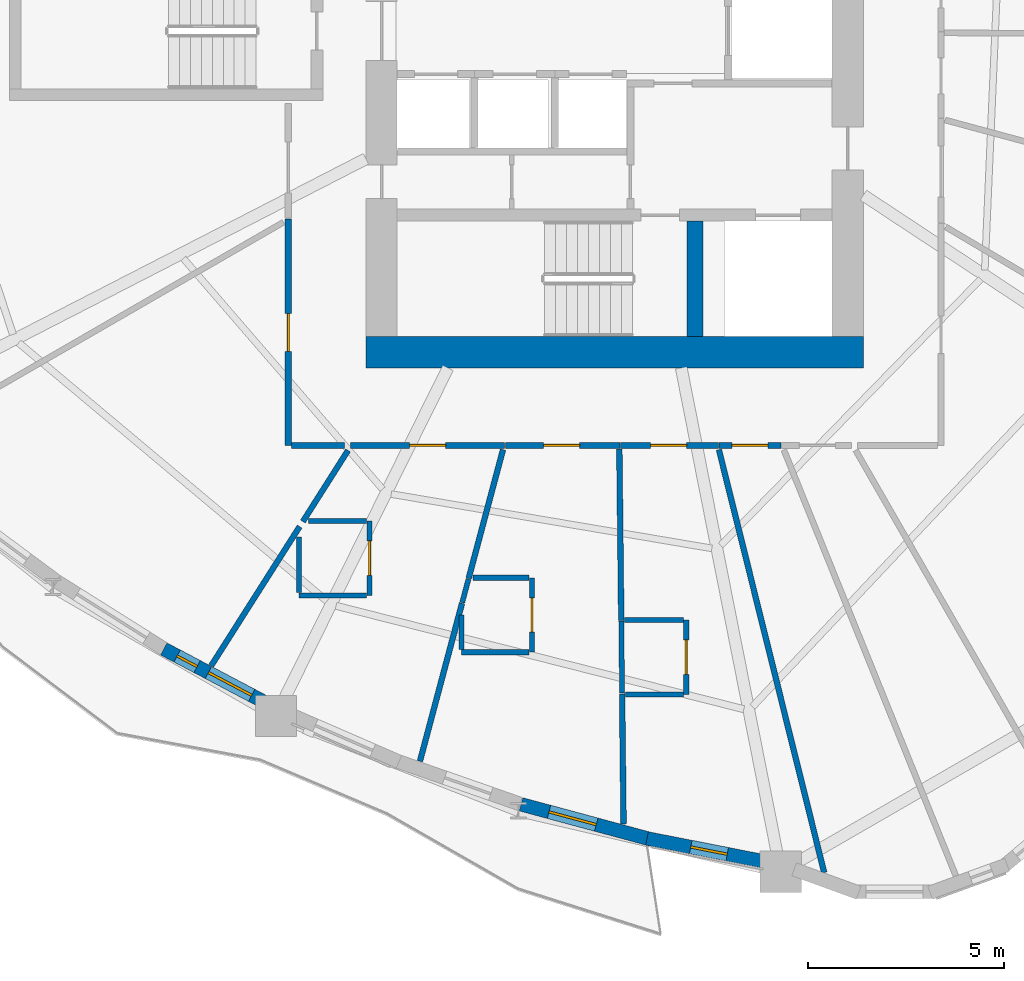
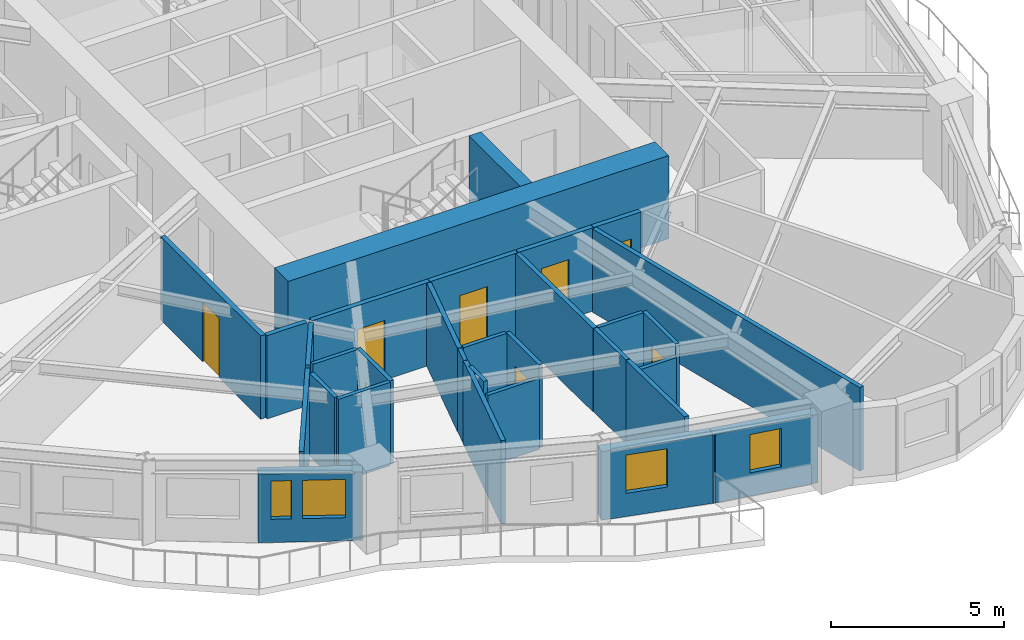
# One storey, part 3 of 13: 31 walls, 8 doors, 4 windows, 12 openings.
"""IFC4 building model written with IfcOpenShell, lengths in metres."""

from ifc_helpers import new_model, si_unit, direction, frame, frame_2d, origin, place, context, subcontext, project, spatial, rectangle, extrude, source, transform, mapped, material, layer, layer_set, type_object, element, fill, save


model = new_model("IFC4")

# Units and contexts
model_context = context("Model", 3, precision=1e-05, world=origin(), true_north=direction((0.0, 1.0)))
body_context = subcontext(model_context, "Body", "Model", "MODEL_VIEW")
ifc_project = project(units=[si_unit("LENGTHUNIT", "METRE"), si_unit("AREAUNIT", "SQUARE_METRE"), si_unit("VOLUMEUNIT", "CUBIC_METRE"), si_unit("PLANEANGLEUNIT", "RADIAN"), si_unit("MASSUNIT", "GRAM", prefix="KILO")], contexts=[model_context])

# Site, building, storey
site_placement = place(None, origin())
site = spatial("IfcSite", under=ifc_project, at=site_placement, CompositionType="ELEMENT")
building_placement = place(site_placement, origin())
building = spatial("IfcBuilding", under=site, at=building_placement, Name="Qafzar Sky-Pleat Residences", CompositionType="ELEMENT")
storey_placement = place(building_placement, frame((0.0, 0.0, 46.199951171875)))
storey = spatial("IfcBuildingStorey", under=building, at=storey_placement, Name="L13", CompositionType="ELEMENT", Elevation=46.199951171875)

# Wall, opening, door
ifc_material_1 = material(Name="Acoustic gypsum plasterboard partition", Category="gypsum")
ifc_layer_1 = layer(ifc_material_1, 0.159912109375)
ifc_layer_set_1 = layer_set([ifc_layer_1], Name="Acoustic gypsum plasterboard partition")
wall_type_1 = type_object("IfcWallType", Name="PART-COR-160", PredefinedType="PARTITIONING", material=ifc_layer_set_1)
wall_1_placement = place(storey_placement, frame((22.02001953125, 15.419921875, 0.0), z_axis=(0.0, 0.0, 1.0), x_axis=(0.0, 1.0, 0.0)))
wall_1 = element("IfcWall", 1, at=wall_1_placement, inside=storey, type_object=wall_type_1, Name="L13 Partition Wall PART-L13-PW-002", PredefinedType="PARTITIONING", context=body_context, shape_type="SweptSolid", body=[
    extrude(rectangle(XDim=5.7861328125, YDim=0.159912109375, at=frame_2d((2.89306640625, 0.0))), origin(), (0.0, 0.0, 1.0), 2.93994140625),
])
opening_1_placement = place(wall_1_placement, frame((2.404541015625, 0.0, 0.0)))
opening_1 = element("IfcOpeningElement", 2, at=opening_1_placement, cuts=wall_1, Name="Opening ID-06", PredefinedType="OPENING", context=body_context, shape_type="SweptSolid", body=[
    extrude(rectangle(XDim=0.9599609375, YDim=2.10009765625, at=frame_2d((0.47998046875, 1.050048828125))), frame((0.0, 0.08984375, 0.0), z_axis=(0.0, -1.0, 0.0), x_axis=(1.0, 0.0, 0.0)), (0.0, 0.0, 1.0), 0.179931640625),
])
ifc_material_2 = material(Name="Timber-faced fire door", Category="wood")
door_type_1 = type_object("IfcDoorType", Name="DR-STD-960", OperationType="NOTDEFINED", PredefinedType="DOOR", material=ifc_material_2)
shared_shape_1 = source(origin(), body_context, "Body", "SweptSolid", [
    extrude(rectangle(XDim=0.9599609375, YDim=2.10009765625, at=frame_2d((0.47998046875, 1.050048828125))), frame((0.0, 0.02490234375, 0.0), z_axis=(0.0, -1.0, 0.0), x_axis=(1.0, 0.0, 0.0)), (0.0, 0.0, 1.0), 0.050048828125),
])
door_1_placement = place(opening_1_placement, origin())
door_1 = element("IfcDoor", 3, at=door_1_placement, inside=storey, type_object=door_type_1, Name="L13 Scholar Co-Working Workspace Door", OperationType="SINGLE_SWING_LEFT", OverallHeight=2.10009765625, OverallWidth=0.9599609375, PredefinedType="DOOR", context=body_context, shape_type="MappedRepresentation", body=[
    mapped(shared_shape_1, transform((0.0, 0.0, 0.0), x_axis=(1.0, 0.0, 0.0), y_axis=(0.0, 1.0, 0.0), z_axis=(0.0, 0.0, 1.0), scale=1.0)),
])
fill(opening_1, door_1)

wall_2_placement = place(storey_placement, frame((27.5439453125, 15.419921875, 0.0), z_axis=(0.0, 0.0, 1.0), x_axis=(-1.0, 0.0, 0.0)))
wall_2 = element("IfcWall", 4, at=wall_2_placement, inside=storey, type_object=wall_type_1, Name="L13 Partition Wall PART-L13-PW-006", PredefinedType="PARTITIONING", context=body_context, shape_type="SweptSolid", body=[
    extrude(rectangle(XDim=3.93603515625, YDim=0.159912109375, at=frame_2d((1.968017578125, 0.0))), origin(), (0.0, 0.0, 1.0), 2.93994140625),
])
opening_2_placement = place(wall_2_placement, frame((1.507080078125, 0.0, 0.0)))
opening_2 = element("IfcOpeningElement", 5, at=opening_2_placement, cuts=wall_2, Name="Opening ID-04", PredefinedType="OPENING", context=body_context, shape_type="SweptSolid", body=[
    extrude(rectangle(XDim=0.919921875, YDim=2.10009765625, at=frame_2d((0.4599609375, 1.050048828125))), frame((0.0, 0.08984375, 0.0), z_axis=(0.0, -1.0, 0.0), x_axis=(1.0, 0.0, 0.0)), (0.0, 0.0, 1.0), 0.179931640625),
])
door_type_2 = type_object("IfcDoorType", Name="DR-BED-920", OperationType="NOTDEFINED", PredefinedType="DOOR", material=ifc_material_2)
shared_shape_2 = source(origin(), body_context, "Body", "SweptSolid", [
    extrude(rectangle(XDim=0.919921875, YDim=2.10009765625, at=frame_2d((0.4599609375, 1.050048828125))), frame((0.0, 0.02490234375, 0.0), z_axis=(0.0, -1.0, 0.0), x_axis=(1.0, 0.0, 0.0)), (0.0, 0.0, 1.0), 0.050048828125),
])
door_2_placement = place(opening_2_placement, origin())
door_2 = element("IfcDoor", 6, at=door_2_placement, inside=storey, type_object=door_type_2, Name="L13 Co-Living Bedroom 10 Door", OperationType="SINGLE_SWING_RIGHT", OverallHeight=2.10009765625, OverallWidth=0.919921875, PredefinedType="DOOR", context=body_context, shape_type="MappedRepresentation", body=[
    mapped(shared_shape_2, transform((0.0, 0.0, 0.0), x_axis=(1.0, 0.0, 0.0), y_axis=(0.0, 1.0, 0.0), z_axis=(0.0, 0.0, 1.0), scale=1.0)),
])
fill(opening_2, door_2)

wall_3_placement = place(storey_placement, frame((30.48388671875, 15.419921875, 0.0), z_axis=(0.0, 0.0, 1.0), x_axis=(-1.0, 0.0, 0.0)))
wall_3 = element("IfcWall", 7, at=wall_3_placement, inside=storey, type_object=wall_type_1, Name="L13 Partition Wall PART-L13-PW-010", PredefinedType="PARTITIONING", context=body_context, shape_type="SweptSolid", body=[
    extrude(rectangle(XDim=2.9248046875, YDim=0.159912109375, at=frame_2d((1.46240234375, 0.0))), origin(), (0.0, 0.0, 1.0), 2.93994140625),
])
opening_3_placement = place(wall_3_placement, frame((1.02490234375, 0.0, 0.0)))
opening_3 = element("IfcOpeningElement", 8, at=opening_3_placement, cuts=wall_3, Name="Opening ID-04", PredefinedType="OPENING", context=body_context, shape_type="SweptSolid", body=[
    extrude(rectangle(XDim=0.919921875, YDim=2.10009765625, at=frame_2d((0.4599609375, 1.050048828125))), frame((0.0, 0.08984375, 0.0), z_axis=(0.0, -1.0, 0.0), x_axis=(1.0, 0.0, 0.0)), (0.0, 0.0, 1.0), 0.179931640625),
])
door_3_placement = place(opening_3_placement, origin())
door_3 = element("IfcDoor", 9, at=door_3_placement, inside=storey, type_object=door_type_2, Name="L13 Co-Living Bedroom 11 Door", OperationType="SINGLE_SWING_LEFT", OverallHeight=2.10009765625, OverallWidth=0.919921875, PredefinedType="DOOR", context=body_context, shape_type="MappedRepresentation", body=[
    mapped(shared_shape_2, transform((0.0, 0.0, 0.0), x_axis=(1.0, 0.0, 0.0), y_axis=(0.0, 1.0, 0.0), z_axis=(0.0, 0.0, 1.0), scale=1.0)),
])
fill(opening_3, door_3)

wall_4_placement = place(storey_placement, frame((33.0, 15.419921875, 0.0), z_axis=(0.0, 0.0, 1.0), x_axis=(-1.0, 0.0, 0.0)))
wall_4 = element("IfcWall", 10, at=wall_4_placement, inside=storey, type_object=wall_type_1, Name="L13 Partition Wall PART-L13-PW-012", PredefinedType="PARTITIONING", context=body_context, shape_type="SweptSolid", body=[
    extrude(rectangle(XDim=2.5009765625, YDim=0.159912109375, at=frame_2d((1.25048828125, 0.0))), origin(), (0.0, 0.0, 1.0), 2.93994140625),
])
opening_4_placement = place(wall_4_placement, frame((0.81298828125, 0.0, 0.0)))
opening_4 = element("IfcOpeningElement", 11, at=opening_4_placement, cuts=wall_4, Name="Opening ID-04", PredefinedType="OPENING", context=body_context, shape_type="SweptSolid", body=[
    extrude(rectangle(XDim=0.919921875, YDim=2.10009765625, at=frame_2d((0.4599609375, 1.050048828125))), frame((0.0, 0.08984375, 0.0), z_axis=(0.0, -1.0, 0.0), x_axis=(1.0, 0.0, 0.0)), (0.0, 0.0, 1.0), 0.179931640625),
])
door_4_placement = place(opening_4_placement, origin())
door_4 = element("IfcDoor", 12, at=door_4_placement, inside=storey, type_object=door_type_2, Name="L13 Co-Living Bedroom 12 Door", OperationType="SINGLE_SWING_RIGHT", OverallHeight=2.10009765625, OverallWidth=0.919921875, PredefinedType="DOOR", context=body_context, shape_type="MappedRepresentation", body=[
    mapped(shared_shape_2, transform((0.0, 0.0, 0.0), x_axis=(1.0, 0.0, 0.0), y_axis=(0.0, 1.0, 0.0), z_axis=(0.0, 0.0, 1.0), scale=1.0)),
])
fill(opening_4, door_4)

wall_5_placement = place(storey_placement, frame((34.591064453125, 15.419921875, 0.0), z_axis=(0.0, 0.0, 1.0), x_axis=(-1.0, 0.0, 0.0)))
wall_5 = element("IfcWall", 13, at=wall_5_placement, inside=storey, type_object=wall_type_1, Name="L13 Partition Wall PART-L13-PW-027", PredefinedType="PARTITIONING", context=body_context, shape_type="SweptSolid", body=[
    extrude(rectangle(XDim=1.576171875, YDim=0.159912109375, at=frame_2d((0.7880859375, 0.0))), origin(), (0.0, 0.0, 1.0), 2.93994140625),
])
opening_5_placement = place(wall_5_placement, frame((0.326904296875, 0.0, 0.0)))
opening_5 = element("IfcOpeningElement", 14, at=opening_5_placement, cuts=wall_5, Name="Opening ID-04", PredefinedType="OPENING", context=body_context, shape_type="SweptSolid", body=[
    extrude(rectangle(XDim=0.919921875, YDim=2.10009765625, at=frame_2d((0.4599609375, 1.050048828125))), frame((0.0, 0.08984375, 0.0), z_axis=(0.0, -1.0, 0.0), x_axis=(1.0, 0.0, 0.0)), (0.0, 0.0, 1.0), 0.179931640625),
])
door_5_placement = place(opening_5_placement, origin())
door_5 = element("IfcDoor", 15, at=door_5_placement, inside=storey, type_object=door_type_2, Name="L13 Co-Living Bedroom 1 Door", OperationType="SINGLE_SWING_LEFT", OverallHeight=2.10009765625, OverallWidth=0.919921875, PredefinedType="DOOR", context=body_context, shape_type="MappedRepresentation", body=[
    mapped(shared_shape_2, transform((0.0, 0.0, 0.0), x_axis=(1.0, 0.0, 0.0), y_axis=(0.0, 1.0, 0.0), z_axis=(0.0, 0.0, 1.0), scale=1.0)),
])
fill(opening_5, door_5)

# Walls
wall_6_placement = place(storey_placement, frame((22.10791015625, 15.419921875, 0.0), z_axis=(0.0, 0.0, 1.0), x_axis=(1.0, 0.0, 0.0)))
element("IfcWall", 16, at=wall_6_placement, inside=storey, type_object=wall_type_1, Name="L13 Partition Wall PART-L13-PW-076", PredefinedType="PARTITIONING", context=body_context, shape_type="SweptSolid", body=[
    extrude(rectangle(XDim=1.34033203125, YDim=0.159912109375, at=frame_2d((0.670166015625, 0.0))), origin(), (0.0, 0.0, 1.0), 2.93994140625),
])
ifc_layer_2 = layer(ifc_material_1, 0.14501953125)
ifc_layer_set_2 = layer_set([ifc_layer_2], Name="Acoustic gypsum plasterboard partition")
wall_type_2 = type_object("IfcWallType", Name="PART-UNIT-145", PredefinedType="PARTITIONING", material=ifc_layer_set_2)
wall_7_placement = place(storey_placement, frame((33.01123046875, 15.314697265625, 0.0), z_axis=(0.0, 0.0, 1.0), x_axis=(0.241616400535, -0.970371843673, 0.0)))
element("IfcWall", 17, at=wall_7_placement, inside=storey, type_object=wall_type_2, Name="L13 Partition Wall PART-L13-PW-035", PredefinedType="PARTITIONING", context=body_context, shape_type="SweptSolid", body=[
    extrude(rectangle(XDim=11.125, YDim=0.14501953125, at=frame_2d((5.5625, 0.0))), origin(), (0.0, 0.0, 1.0), 2.93994140625),
])
wall_8_placement = place(storey_placement, frame((30.469970703125, 15.331298828125, 0.0), z_axis=(0.0, 0.0, 1.0), x_axis=(0.011204559183, -0.999937226957, 0.0)))
element("IfcWall", 18, at=wall_8_placement, inside=storey, type_object=wall_type_2, Name="L13 Partition Wall PART-L13-PW-044", PredefinedType="PARTITIONING", context=body_context, shape_type="SweptSolid", body=[
    extrude(rectangle(XDim=4.379638671875, YDim=0.14501953125, at=frame_2d((2.18994140625, 0.0))), origin(), (0.0, 0.0, 1.0), 2.93994140625),
])
wall_9_placement = place(storey_placement, frame((20.0537109375, 9.800048828125, 0.0), z_axis=(0.0, 0.0, 1.0), x_axis=(0.536345686693, 0.843998403059, 0.0)))
element("IfcWall", 19, at=wall_9_placement, inside=storey, type_object=wall_type_2, Name="L13 Partition Wall PART-L13-PW-045", PredefinedType="PARTITIONING", context=body_context, shape_type="SweptSolid", body=[
    extrude(rectangle(XDim=4.205078125, YDim=0.14501953125, at=frame_2d((2.1025390625, 0.0))), origin(), (0.0, 0.0, 1.0), 2.93994140625),
])
wall_10_placement = place(storey_placement, frame((25.3798828125, 7.359619140625, 0.0), z_axis=(0.0, 0.0, 1.0), x_axis=(0.257575283531, 0.966258233245, 0.0)))
element("IfcWall", 20, at=wall_10_placement, inside=storey, type_object=wall_type_2, Name="L13 Partition Wall PART-L13-PW-046", PredefinedType="PARTITIONING", context=body_context, shape_type="SweptSolid", body=[
    extrude(rectangle(XDim=4.17431640625, YDim=0.14501953125, at=frame_2d((2.087158203125, 0.0))), origin(), (0.0, 0.0, 1.0), 2.93994140625),
])
wall_11_placement = place(storey_placement, frame((26.6240234375, 12.028076171875, 0.0), z_axis=(0.0, 0.0, 1.0), x_axis=(0.257743083598, 0.966213487205, 0.0)))
element("IfcWall", 21, at=wall_11_placement, inside=storey, type_object=wall_type_2, Name="L13 Partition Wall PART-L13-PW-049", PredefinedType="PARTITIONING", context=body_context, shape_type="SweptSolid", body=[
    extrude(rectangle(XDim=3.400634765625, YDim=0.14501953125, at=frame_2d((1.7001953125, 0.0))), origin(), (0.0, 0.0, 1.0), 2.93994140625),
])
wall_12_placement = place(storey_placement, frame((30.5400390625, 9.08203125, 0.0), z_axis=(0.0, 0.0, 1.0), x_axis=(0.011329467055, -0.999935819529, 0.0)))
element("IfcWall", 22, at=wall_12_placement, inside=storey, type_object=wall_type_2, Name="L13 Partition Wall PART-L13-PW-052", PredefinedType="PARTITIONING", context=body_context, shape_type="SweptSolid", body=[
    extrude(rectangle(XDim=3.318603515625, YDim=0.14501953125, at=frame_2d((1.6591796875, 0.0))), origin(), (0.0, 0.0, 1.0), 2.93994140625),
])
wall_13_placement = place(storey_placement, frame((22.39208984375, 13.47900390625, 0.0), z_axis=(0.0, 0.0, 1.0), x_axis=(0.53614810629, 0.844123929362, 0.0)))
element("IfcWall", 23, at=wall_13_placement, inside=storey, type_object=wall_type_2, Name="L13 Partition Wall PART-L13-PW-055", PredefinedType="PARTITIONING", context=body_context, shape_type="SweptSolid", body=[
    extrude(rectangle(XDim=2.150634765625, YDim=0.14501953125, at=frame_2d((1.0751953125, 0.0))), origin(), (0.0, 0.0, 1.0), 2.93994140625),
])

# Wall, opening, door
ifc_material_3 = material(Name="Moisture-resistant gypsum partition", Category="gypsum")
ifc_layer_3 = layer(ifc_material_3, 0.1298828125)
ifc_layer_set_3 = layer_set([ifc_layer_3], Name="Moisture-resistant gypsum partition")
wall_type_3 = type_object("IfcWallType", Name="PART-WET-130", PredefinedType="PARTITIONING", material=ifc_layer_set_3)
wall_14_placement = place(storey_placement, frame((24.093994140625, 11.593994140625, 0.0), z_axis=(0.0, 0.0, 1.0), x_axis=(0.0, 1.0, 0.0)))
wall_14 = element("IfcWall", 24, at=wall_14_placement, inside=storey, type_object=wall_type_3, Name="L13 Partition Wall PART-L13-PW-016", PredefinedType="PARTITIONING", context=body_context, shape_type="SweptSolid", body=[
    extrude(rectangle(XDim=1.89990234375, YDim=0.1298828125, at=frame_2d((0.949951171875, 0.0))), origin(), (0.0, 0.0, 1.0), 2.93994140625),
])
opening_6_placement = place(wall_14_placement, frame((0.510009765625, 0.0, 0.0)))
opening_6 = element("IfcOpeningElement", 25, at=opening_6_placement, cuts=wall_14, Name="Opening ID-07", PredefinedType="OPENING", context=body_context, shape_type="SweptSolid", body=[
    extrude(rectangle(XDim=0.8798828125, YDim=2.050048828125, at=frame_2d((0.43994140625, 1.02490234375))), frame((0.0, 0.074951171875, 0.0), z_axis=(0.0, -1.0, 0.0), x_axis=(1.0, 0.0, 0.0)), (0.0, 0.0, 1.0), 0.14990234375),
])
door_type_3 = type_object("IfcDoorType", Name="DR-WET-880", OperationType="NOTDEFINED", PredefinedType="DOOR", material=ifc_material_2)
shared_shape_3 = source(origin(), body_context, "Body", "SweptSolid", [
    extrude(rectangle(XDim=0.8798828125, YDim=2.050048828125, at=frame_2d((0.43994140625, 1.02490234375))), frame((0.0, 0.02490234375, 0.0), z_axis=(0.0, -1.0, 0.0), x_axis=(1.0, 0.0, 0.0)), (0.0, 0.0, 1.0), 0.050048828125),
])
door_6_placement = place(opening_6_placement, origin())
door_6 = element("IfcDoor", 26, at=door_6_placement, inside=storey, type_object=door_type_3, Name="L13 En-suite Bathroom 10 Door", OperationType="SINGLE_SWING_RIGHT", OverallHeight=2.050048828125, OverallWidth=0.8798828125, PredefinedType="DOOR", context=body_context, shape_type="MappedRepresentation", body=[
    mapped(shared_shape_3, transform((0.0, 0.0, 0.0), x_axis=(1.0, 0.0, 0.0), y_axis=(0.0, 1.0, 0.0), z_axis=(0.0, 0.0, 1.0), scale=1.0)),
])
fill(opening_6, door_6)

wall_15_placement = place(storey_placement, frame((32.177001953125, 9.06689453125, 0.0), z_axis=(0.0, 0.0, 1.0), x_axis=(0.0, 1.0, 0.0)))
wall_15 = element("IfcWall", 27, at=wall_15_placement, inside=storey, type_object=wall_type_3, Name="L13 Partition Wall PART-L13-PW-017", PredefinedType="PARTITIONING", context=body_context, shape_type="SweptSolid", body=[
    extrude(rectangle(XDim=1.900146484375, YDim=0.1298828125, at=frame_2d((0.9501953125, 0.0))), origin(), (0.0, 0.0, 1.0), 2.93994140625),
])
opening_7_placement = place(wall_15_placement, frame((0.510009765625, 0.0, 0.0)))
opening_7 = element("IfcOpeningElement", 28, at=opening_7_placement, cuts=wall_15, Name="Opening ID-07", PredefinedType="OPENING", context=body_context, shape_type="SweptSolid", body=[
    extrude(rectangle(XDim=0.8798828125, YDim=2.050048828125, at=frame_2d((0.43994140625, 1.02490234375))), frame((0.0, 0.074951171875, 0.0), z_axis=(0.0, -1.0, 0.0), x_axis=(1.0, 0.0, 0.0)), (0.0, 0.0, 1.0), 0.14990234375),
])
door_7_placement = place(opening_7_placement, origin())
door_7 = element("IfcDoor", 29, at=door_7_placement, inside=storey, type_object=door_type_3, Name="L13 En-suite Bathroom 12 Door", OperationType="SINGLE_SWING_LEFT", OverallHeight=2.050048828125, OverallWidth=0.8798828125, PredefinedType="DOOR", context=body_context, shape_type="MappedRepresentation", body=[
    mapped(shared_shape_3, transform((0.0, 0.0, 0.0), x_axis=(1.0, 0.0, 0.0), y_axis=(0.0, 1.0, 0.0), z_axis=(0.0, 0.0, 1.0), scale=1.0)),
])
fill(opening_7, door_7)

wall_16_placement = place(storey_placement, frame((28.239990234375, 10.14306640625, 0.0), z_axis=(0.0, 0.0, 1.0), x_axis=(0.0, 1.0, 0.0)))
wall_16 = element("IfcWall", 30, at=wall_16_placement, inside=storey, type_object=wall_type_3, Name="L13 Partition Wall PART-L13-PW-021", PredefinedType="PARTITIONING", context=body_context, shape_type="SweptSolid", body=[
    extrude(rectangle(XDim=1.89990234375, YDim=0.1298828125, at=frame_2d((0.949951171875, 0.0))), origin(), (0.0, 0.0, 1.0), 2.93994140625),
])
opening_8_placement = place(wall_16_placement, frame((0.510009765625, 0.0, 0.0)))
opening_8 = element("IfcOpeningElement", 31, at=opening_8_placement, cuts=wall_16, Name="Opening ID-07", PredefinedType="OPENING", context=body_context, shape_type="SweptSolid", body=[
    extrude(rectangle(XDim=0.8798828125, YDim=2.050048828125, at=frame_2d((0.43994140625, 1.02490234375))), frame((0.0, 0.074951171875, 0.0), z_axis=(0.0, -1.0, 0.0), x_axis=(1.0, 0.0, 0.0)), (0.0, 0.0, 1.0), 0.14990234375),
])
door_8_placement = place(opening_8_placement, origin())
door_8 = element("IfcDoor", 32, at=door_8_placement, inside=storey, type_object=door_type_3, Name="L13 En-suite Bathroom 11 Door", OperationType="SINGLE_SWING_LEFT", OverallHeight=2.050048828125, OverallWidth=0.8798828125, PredefinedType="DOOR", context=body_context, shape_type="MappedRepresentation", body=[
    mapped(shared_shape_3, transform((0.0, 0.0, 0.0), x_axis=(1.0, 0.0, 0.0), y_axis=(0.0, 1.0, 0.0), z_axis=(0.0, 0.0, 1.0), scale=1.0)),
])
fill(opening_8, door_8)

# Walls
wall_17_placement = place(storey_placement, frame((30.51953125, 10.93701171875, 0.0), z_axis=(0.0, 0.0, 1.0), x_axis=(0.010879016503, -0.999940821749, 0.0)))
element("IfcWall", 33, at=wall_17_placement, inside=storey, type_object=wall_type_3, Name="L13 Partition Wall PART-L13-PW-061", PredefinedType="PARTITIONING", context=body_context, shape_type="SweptSolid", body=[
    extrude(rectangle(XDim=1.840087890625, YDim=0.1298828125, at=frame_2d((0.919921875, 0.0))), origin(), (0.0, 0.0, 1.0), 2.93994140625),
])
wall_18_placement = place(storey_placement, frame((22.2939453125, 11.593994140625, 0.0), z_axis=(0.0, 0.0, 1.0), x_axis=(1.0, 0.0, 0.0)))
element("IfcWall", 34, at=wall_18_placement, inside=storey, type_object=wall_type_3, Name="L13 Partition Wall PART-L13-PW-065", PredefinedType="PARTITIONING", context=body_context, shape_type="SweptSolid", body=[
    extrude(rectangle(XDim=1.72705078125, YDim=0.1298828125, at=frame_2d((0.863525390625, 0.0))), origin(), (0.0, 0.0, 1.0), 2.93994140625),
])
wall_19_placement = place(storey_placement, frame((26.43994140625, 10.14306640625, 0.0), z_axis=(0.0, 0.0, 1.0), x_axis=(1.0, 0.0, 0.0)))
element("IfcWall", 35, at=wall_19_placement, inside=storey, type_object=wall_type_3, Name="L13 Partition Wall PART-L13-PW-067", PredefinedType="PARTITIONING", context=body_context, shape_type="SweptSolid", body=[
    extrude(rectangle(XDim=1.72705078125, YDim=0.1298828125, at=frame_2d((0.863525390625, 0.0))), origin(), (0.0, 0.0, 1.0), 2.508056640625),
])
wall_20_placement = place(storey_placement, frame((22.2939453125, 11.6669921875, 0.0), z_axis=(0.0, 0.0, 1.0), x_axis=(0.0, 1.0, 0.0)))
element("IfcWall", 36, at=wall_20_placement, inside=storey, type_object=wall_type_3, Name="L13 Partition Wall PART-L13-PW-069", PredefinedType="PARTITIONING", context=body_context, shape_type="SweptSolid", body=[
    extrude(rectangle(XDim=1.4189453125, YDim=0.1298828125, at=frame_2d((0.70947265625, 0.0))), origin(), (0.0, 0.0, 1.0), 2.93994140625),
])
wall_21_placement = place(storey_placement, frame((22.5361328125, 13.493896484375, 0.0), z_axis=(0.0, 0.0, 1.0), x_axis=(1.0, 0.0, 0.0)))
element("IfcWall", 37, at=wall_21_placement, inside=storey, type_object=wall_type_3, Name="L13 Partition Wall PART-L13-PW-071", PredefinedType="PARTITIONING", context=body_context, shape_type="SweptSolid", body=[
    extrude(rectangle(XDim=1.48486328125, YDim=0.1298828125, at=frame_2d((0.742431640625, 0.0))), origin(), (0.0, 0.0, 1.0), 2.93994140625),
])
wall_22_placement = place(storey_placement, frame((30.60009765625, 10.967041015625, 0.0), z_axis=(0.0, 0.0, 1.0), x_axis=(1.0, 0.0, 0.0)))
element("IfcWall", 38, at=wall_22_placement, inside=storey, type_object=wall_type_3, Name="L13 Partition Wall PART-L13-PW-073", PredefinedType="PARTITIONING", context=body_context, shape_type="SweptSolid", body=[
    extrude(rectangle(XDim=1.50390625, YDim=0.1298828125, at=frame_2d((0.751953125, 0.0))), origin(), (0.0, 0.0, 1.0), 2.93994140625),
])
wall_23_placement = place(storey_placement, frame((30.62109375, 9.06689453125, 0.0), z_axis=(0.0, 0.0, 1.0), x_axis=(1.0, 0.0, 0.0)))
element("IfcWall", 39, at=wall_23_placement, inside=storey, type_object=wall_type_3, Name="L13 Partition Wall PART-L13-PW-074", PredefinedType="PARTITIONING", context=body_context, shape_type="SweptSolid", body=[
    extrude(rectangle(XDim=1.48291015625, YDim=0.1298828125, at=frame_2d((0.741455078125, 0.0))), origin(), (0.0, 0.0, 1.0), 2.508056640625),
])
wall_24_placement = place(storey_placement, frame((26.728515625, 12.04296875, 0.0), z_axis=(0.0, 0.0, 1.0), x_axis=(1.0, 0.0, 0.0)))
element("IfcWall", 40, at=wall_24_placement, inside=storey, type_object=wall_type_3, Name="L13 Partition Wall PART-L13-PW-075", PredefinedType="PARTITIONING", context=body_context, shape_type="SweptSolid", body=[
    extrude(rectangle(XDim=1.4384765625, YDim=0.1298828125, at=frame_2d((0.71923828125, 0.0))), origin(), (0.0, 0.0, 1.0), 2.93994140625),
])
wall_25_placement = place(storey_placement, frame((26.43994140625, 10.216064453125, 0.0), z_axis=(0.0, 0.0, 1.0), x_axis=(0.0, 1.0, 0.0)))
element("IfcWall", 41, at=wall_25_placement, inside=storey, type_object=wall_type_3, Name="L13 Partition Wall PART-L13-PW-083", PredefinedType="PARTITIONING", context=body_context, shape_type="SweptSolid", body=[
    extrude(rectangle(XDim=0.8798828125, YDim=0.1298828125, at=frame_2d((0.43994140625, 0.0))), origin(), (0.0, 0.0, 1.0), 2.93994140625),
])
wall_26_placement = place(storey_placement, frame((26.458984375, 11.407470703125, 0.0), z_axis=(0.0, 0.0, 1.0), x_axis=(0.256984017378, 0.966415653232, 0.0)))
element("IfcWall", 42, at=wall_26_placement, inside=storey, type_object=wall_type_3, Name="L13 Partition Wall PART-L13-PW-088", PredefinedType="PARTITIONING", context=body_context, shape_type="SweptSolid", body=[
    extrude(rectangle(XDim=0.626953125, YDim=0.1298828125, at=frame_2d((0.3134765625, 0.0))), origin(), (0.0, 0.0, 1.0), 2.93994140625),
])

# Wall, openings, windows
ifc_material_4 = material(Name="Precast concrete C40/50 with honed Riyadh limestone", Category="concrete")
ifc_layer_4 = layer(ifc_material_4, 0.35009765625)
ifc_layer_set_4 = layer_set([ifc_layer_4], Name="Precast concrete C40/50 with honed Riyadh limestone")
wall_type_4 = type_object("IfcWallType", Name="WALL-EXT-350", PredefinedType="SOLIDWALL", material=ifc_layer_set_4)
wall_27_placement = place(storey_placement, frame((18.841552734375, 10.226318359375, 0.0), z_axis=(0.0, 0.0, 1.0), x_axis=(0.884373657766, -0.466779641211, 0.0)))
wall_27 = element("IfcWall", 43, at=wall_27_placement, inside=storey, type_object=wall_type_4, Name="L13 Limestone Facade Wall 12", PredefinedType="SOLIDWALL", context=body_context, shape_type="SweptSolid", body=[
    extrude(rectangle(XDim=3.02783203125, YDim=0.35009765625, at=frame_2d((1.513916015625, 0.0))), origin(), (0.0, 0.0, 1.0), 2.420166015625),
])
opening_9_placement = place(wall_27_placement, frame((0.38427734375, 0.0, 0.820068359375)))
opening_9 = element("IfcOpeningElement", 44, at=opening_9_placement, cuts=wall_27, Name="Opening WN-17", PredefinedType="OPENING", context=body_context, shape_type="SweptSolid", body=[
    extrude(rectangle(XDim=0.580078125, YDim=1.35009765625, at=frame_2d((0.2900390625, 0.675048828125))), frame((0.0, 0.18505859375, 0.0), z_axis=(0.0, -1.0, 0.0), x_axis=(1.0, 0.0, 0.0)), (0.0, 0.0, 1.0), 0.3701171875),
])
opening_10_placement = place(wall_27_placement, frame((1.288330078125, 0.0, 0.820068359375)))
opening_10 = element("IfcOpeningElement", 45, at=opening_10_placement, cuts=wall_27, Name="Opening WN-11", PredefinedType="OPENING", context=body_context, shape_type="SweptSolid", body=[
    extrude(rectangle(XDim=1.25, YDim=1.35009765625, at=frame_2d((0.625, 0.675048828125))), frame((0.0, 0.18505859375, 0.0), z_axis=(0.0, -1.0, 0.0), x_axis=(1.0, 0.0, 0.0)), (0.0, 0.0, 1.0), 0.3701171875),
])
ifc_material_5 = material(Name="Solar-control low-E glass in bronze aluminium frame", Category="glass")
window_type_1 = type_object("IfcWindowType", Name="WIN-17", PartitioningType="SINGLE_PANEL", PredefinedType="WINDOW", material=ifc_material_5)
shared_shape_4 = source(origin(), body_context, "Body", "SweptSolid", [
    extrude(rectangle(XDim=0.580078125, YDim=1.35009765625, at=frame_2d((0.2900390625, 0.675048828125))), frame((0.0, 0.030029296875, 0.0), z_axis=(0.0, -1.0, 0.0), x_axis=(1.0, 0.0, 0.0)), (0.0, 0.0, 1.0), 0.06005859375),
])
window_1_placement = place(opening_9_placement, origin())
window_1 = element("IfcWindow", 46, at=window_1_placement, inside=storey, type_object=window_type_1, Name="L13 Punched Facade Window 12", OverallHeight=1.35009765625, OverallWidth=0.580078125, PartitioningType="SINGLE_PANEL", PredefinedType="WINDOW", context=body_context, shape_type="MappedRepresentation", body=[
    mapped(shared_shape_4, transform((0.0, 0.0, 0.0), x_axis=(1.0, 0.0, 0.0), y_axis=(0.0, 1.0, 0.0), z_axis=(0.0, 0.0, 1.0), scale=1.0)),
])
fill(opening_9, window_1)
window_type_2 = type_object("IfcWindowType", Name="WIN-11", PartitioningType="SINGLE_PANEL", PredefinedType="WINDOW", material=ifc_material_5)
shared_shape_5 = source(origin(), body_context, "Body", "SweptSolid", [
    extrude(rectangle(XDim=1.25, YDim=1.35009765625, at=frame_2d((0.625, 0.675048828125))), frame((0.0, 0.030029296875, 0.0), z_axis=(0.0, -1.0, 0.0), x_axis=(1.0, 0.0, 0.0)), (0.0, 0.0, 1.0), 0.06005859375),
])
window_2_placement = place(opening_10_placement, origin())
window_2 = element("IfcWindow", 47, at=window_2_placement, inside=storey, type_object=window_type_2, Name="L13 Punched Facade Window 12-2", OverallHeight=1.35009765625, OverallWidth=1.25, PartitioningType="SINGLE_PANEL", PredefinedType="WINDOW", context=body_context, shape_type="MappedRepresentation", body=[
    mapped(shared_shape_5, transform((0.0, 0.0, 0.0), x_axis=(1.0, 0.0, 0.0), y_axis=(0.0, 1.0, 0.0), z_axis=(0.0, 0.0, 1.0), scale=1.0)),
])
fill(opening_10, window_2)

# Wall, opening, window
wall_28_placement = place(storey_placement, frame((27.96142578125, 6.260009765625, 0.0), z_axis=(0.0, 0.0, 1.0), x_axis=(0.96545566601, -0.260567375106, 0.0)))
wall_28 = element("IfcWall", 48, at=wall_28_placement, inside=storey, type_object=wall_type_4, Name="L13 Limestone Facade Wall 15", PredefinedType="SOLIDWALL", context=body_context, shape_type="SweptSolid", body=[
    extrude(rectangle(XDim=3.419921875, YDim=0.35009765625, at=frame_2d((1.7099609375, 0.0))), origin(), (0.0, 0.0, 1.0), 2.420166015625),
])
opening_11_placement = place(wall_28_placement, frame((0.737548828125, 0.0, 0.820068359375)))
opening_11 = element("IfcOpeningElement", 49, at=opening_11_placement, cuts=wall_28, Name="Opening WN-11", PredefinedType="OPENING", context=body_context, shape_type="SweptSolid", body=[
    extrude(rectangle(XDim=1.25, YDim=1.35009765625, at=frame_2d((0.625, 0.675048828125))), frame((0.0, 0.18505859375, 0.0), z_axis=(0.0, -1.0, 0.0), x_axis=(1.0, 0.0, 0.0)), (0.0, 0.0, 1.0), 0.3701171875),
])
window_3_placement = place(opening_11_placement, origin())
window_3 = element("IfcWindow", 50, at=window_3_placement, inside=storey, type_object=window_type_2, Name="L13 Punched Facade Window 15", OverallHeight=1.35009765625, OverallWidth=1.25, PartitioningType="SINGLE_PANEL", PredefinedType="WINDOW", context=body_context, shape_type="MappedRepresentation", body=[
    mapped(shared_shape_5, transform((0.0, 0.0, 0.0), x_axis=(1.0, 0.0, 0.0), y_axis=(0.0, 1.0, 0.0), z_axis=(0.0, 0.0, 1.0), scale=1.0)),
])
fill(opening_11, window_3)

wall_29_placement = place(storey_placement, frame((31.17724609375, 5.388916015625, 0.0), z_axis=(0.0, 0.0, 1.0), x_axis=(0.981235727687, -0.192811946491, 0.0)))
wall_29 = element("IfcWall", 51, at=wall_29_placement, inside=storey, type_object=wall_type_4, Name="L13 Limestone Facade Wall 16", PredefinedType="SOLIDWALL", context=body_context, shape_type="SweptSolid", body=[
    extrude(rectangle(XDim=3.21240234375, YDim=0.35009765625, at=frame_2d((1.606201171875, 0.0))), origin(), (0.0, 0.0, 1.0), 2.420166015625),
])
opening_12_placement = place(wall_29_placement, frame((1.13623046875, 0.0, 0.820068359375)))
opening_12 = element("IfcOpeningElement", 52, at=opening_12_placement, cuts=wall_29, Name="Opening WN-12", PredefinedType="OPENING", context=body_context, shape_type="SweptSolid", body=[
    extrude(rectangle(XDim=0.949951171875, YDim=1.35009765625, at=frame_2d((0.47509765625, 0.675048828125))), frame((0.0, 0.18505859375, 0.0), z_axis=(0.0, -1.0, 0.0), x_axis=(1.0, 0.0, 0.0)), (0.0, 0.0, 1.0), 0.3701171875),
])
window_type_3 = type_object("IfcWindowType", Name="WIN-12", PartitioningType="SINGLE_PANEL", PredefinedType="WINDOW", material=ifc_material_5)
shared_shape_6 = source(origin(), body_context, "Body", "SweptSolid", [
    extrude(rectangle(XDim=0.949951171875, YDim=1.35009765625, at=frame_2d((0.47509765625, 0.675048828125))), frame((0.0, 0.030029296875, 0.0), z_axis=(0.0, -1.0, 0.0), x_axis=(1.0, 0.0, 0.0)), (0.0, 0.0, 1.0), 0.06005859375),
])
window_4_placement = place(opening_12_placement, origin())
window_4 = element("IfcWindow", 53, at=window_4_placement, inside=storey, type_object=window_type_3, Name="L13 Punched Facade Window 16", OverallHeight=1.35009765625, OverallWidth=0.949951171875, PartitioningType="SINGLE_PANEL", PredefinedType="WINDOW", context=body_context, shape_type="MappedRepresentation", body=[
    mapped(shared_shape_6, transform((0.0, 0.0, 0.0), x_axis=(1.0, 0.0, 0.0), y_axis=(0.0, 1.0, 0.0), z_axis=(0.0, 0.0, 1.0), scale=1.0)),
])
fill(opening_12, window_4)

# Walls
ifc_material_6 = material(Name="Concrete C60/75", Category="concrete")
ifc_layer_5 = layer(ifc_material_6, 0.39990234375)
ifc_layer_set_5 = layer_set([ifc_layer_5], Name="Concrete C60/75")
wall_type_5 = type_object("IfcWallType", Name="WALL-SHEAR-400", PredefinedType="SHEAR", material=ifc_layer_set_5)
wall_30_placement = place(storey_placement, frame((32.39990234375, 18.199951171875, 0.0), z_axis=(0.0, 0.0, 1.0), x_axis=(0.0, 1.0, 0.0)))
element("IfcWall", 54, at=wall_30_placement, inside=storey, type_object=wall_type_5, Name="L13 Stair ST1 East Dividing Wall", PredefinedType="SHEAR", context=body_context, shape_type="SweptSolid", body=[
    extrude(rectangle(XDim=2.949951171875, YDim=0.39990234375, at=frame_2d((1.47509765625, 0.0))), origin(), (0.0, 0.0, 1.0), 2.93994140625),
])
ifc_layer_6 = layer(ifc_material_6, 0.800048828125)
ifc_layer_set_6 = layer_set([ifc_layer_6], Name="Concrete C60/75")
wall_type_6 = type_object("IfcWallType", Name="WALL-SHEAR-800", PredefinedType="SHEAR", material=ifc_layer_set_6)
wall_31_placement = place(storey_placement, frame((24.0, 17.800048828125, 0.0), z_axis=(0.0, 0.0, 1.0), x_axis=(1.0, 0.0, 0.0)))
element("IfcWall", 55, at=wall_31_placement, inside=storey, type_object=wall_type_6, Name="L13 CORE wall S", PredefinedType="SHEAR", context=body_context, shape_type="SweptSolid", body=[
    extrude(rectangle(XDim=12.699951171875, YDim=0.800048828125, at=frame_2d((6.35009765625, 0.0))), origin(), (0.0, 0.0, 1.0), 2.93994140625),
])

save(model, "model.ifc")
